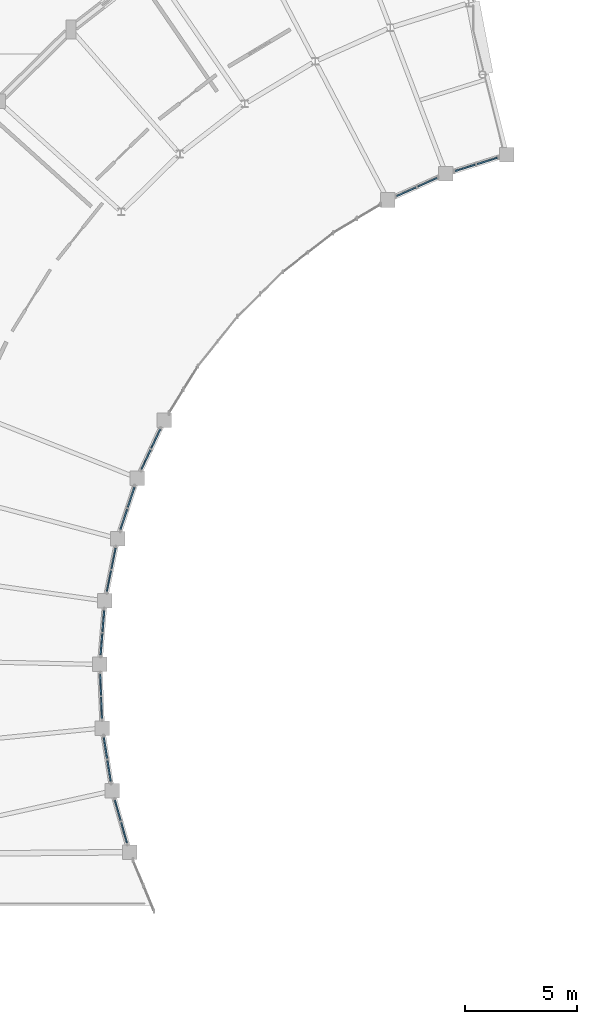
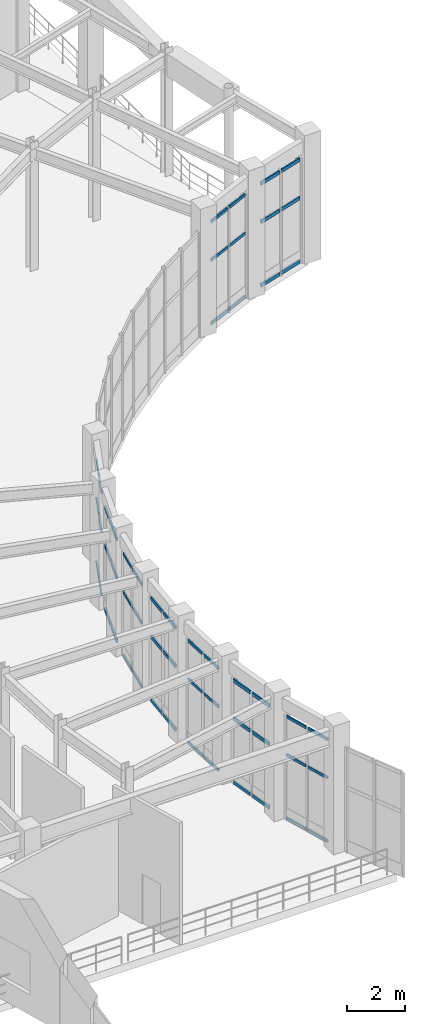
# One storey, part 39 of 93: 54 members, 9 elements without a shape of their own.
"""IFC4 building model written with IfcOpenShell, lengths in metres."""

import ifcopenshell
import ifcopenshell.guid

model = None  # the IFC model being written
_history = None  # IfcOwnerHistory: only IFC2X3 demands one
_inside = {}  # id of a spatial element -> (the spatial element, [elements in it])
_under = {}  # id of a project, library or spatial element -> (it, [spatial elements below it])
_declared = {}  # id of a project -> (the project, [libraries it declares])
_typed = {}  # id of a type object -> (the type object, [elements of that type])
_made_of = {}  # id of a material, layer set ... -> (it, [elements and type objects made of it])


def new_model(schema):
    """Start an empty IFC model of exactly this schema.

    Asked for "IFC4X3", IfcOpenShell would pick the latest addendum, in which some entities
    have other attributes; the version numbers below select the first issue.
    IFC2X3 requires an IfcOwnerHistory on every rooted entity: one is made here for all.
    """
    global model, _history
    if schema == "IFC4X3":
        model = ifcopenshell.file(schema_version=(4, 3, 0, 0))
    else:
        model = ifcopenshell.file(schema=schema)
    _inside.clear()
    _under.clear()
    _declared.clear()
    _typed.clear()
    _made_of.clear()
    _history = None
    if model.schema == "IFC2X3":
        org = make("IfcOrganization", Name="unknown")
        user = make(
            "IfcPersonAndOrganization",
            ThePerson=make("IfcPerson", FamilyName="unknown"),
            TheOrganization=org,
        )
        app = make(
            "IfcApplication",
            ApplicationDeveloper=org,
            Version="unknown",
            ApplicationFullName="unknown",
            ApplicationIdentifier="unknown",
        )
        _history = make(
            "IfcOwnerHistory",
            OwningUser=user,
            OwningApplication=app,
            ChangeAction="ADDED",
            CreationDate=0,
        )
    return model


def make(cls, **values):
    """One entity of the class cls with the attributes given. An attribute that is None is left unset."""
    return model.create_entity(
        cls, **{name: value for name, value in values.items() if value is not None}
    )


def rooted(cls, **values):
    """An entity with a GlobalId (a new one), such as an element, a storey or a relation."""
    return make(cls, GlobalId=ifcopenshell.guid.new(), OwnerHistory=_history, **values)


def si_unit(unit_type, name, prefix=None):
    """IfcSIUnit, for example si_unit("LENGTHUNIT", "METRE", prefix="MILLI")."""
    return make("IfcSIUnit", UnitType=unit_type, Prefix=prefix, Name=name)


def assignment(units):
    """IfcUnitAssignment: the units of a project."""
    return None if units is None else make("IfcUnitAssignment", Units=units)


def point(xyz):
    """IfcCartesianPoint."""
    return None if xyz is None else make("IfcCartesianPoint", Coordinates=xyz)


def direction(xyz):
    """IfcDirection."""
    return None if xyz is None else make("IfcDirection", DirectionRatios=xyz)


def frame(location, z_axis=None, x_axis=None):
    """IfcAxis2Placement3D, a coordinate frame: its origin and axes. An axis left out is left unset."""
    return make(
        "IfcAxis2Placement3D",
        Location=point(location),
        Axis=direction(z_axis),
        RefDirection=direction(x_axis),
    )


def frame_2d(location, x_axis=None):
    """IfcAxis2Placement2D, a coordinate frame in the plane: its origin and x axis."""
    return make(
        "IfcAxis2Placement2D", Location=point(location), RefDirection=direction(x_axis)
    )


def origin():
    """The frame at (0, 0, 0) with its axes left unset."""
    return frame((0.0, 0.0, 0.0))


def origin_2d():
    """The frame at (0, 0) in the plane with its x axis left unset."""
    return frame_2d((0.0, 0.0))


def place(relative_to, where):
    """IfcLocalPlacement: puts the frame where relative to a parent placement (None: the world)."""
    return make(
        "IfcLocalPlacement", PlacementRelTo=relative_to, RelativePlacement=where
    )


def context(
    kind, dimensions, precision=None, world=None, true_north=None, identifier=None
):
    """IfcGeometricRepresentationContext, for example the 3D "Model" context."""
    return make(
        "IfcGeometricRepresentationContext",
        ContextIdentifier=identifier,
        ContextType=kind,
        CoordinateSpaceDimension=dimensions,
        Precision=precision,
        WorldCoordinateSystem=world,
        TrueNorth=true_north,
    )


def subcontext(parent, identifier, kind, view, scale=None):
    """IfcGeometricRepresentationSubContext, for example "Body" below "Model"."""
    return make(
        "IfcGeometricRepresentationSubContext",
        ContextIdentifier=identifier,
        ContextType=kind,
        ParentContext=parent,
        TargetScale=scale,
        TargetView=view,
    )


def project(units=None, contexts=None):
    """IfcProject with its units and contexts."""
    return rooted(
        "IfcProject",
        Name="project",
        RepresentationContexts=contexts,
        UnitsInContext=assignment(units),
    )


def spatial(cls, under=None, at=None, **own):
    """A site, building, storey or space (cls), placed at a placement, below another one or the project."""
    s = rooted(cls, ObjectPlacement=at, **own)
    if under is not None:
        _under.setdefault(under.id(), (under, []))[1].append(s)
    return s


def profile(cls, at=None, kind="AREA", **sizes):
    """A parametric profile (cls). Its sizes go by their IFC names, for example OverallWidth=200.0."""
    return make(cls, ProfileType=kind, Position=at, **sizes)


def rectangle(**sizes):
    """IfcRectangleProfileDef."""
    return profile("IfcRectangleProfileDef", **sizes)


def extrude(swept, where, along, depth):
    """IfcExtrudedAreaSolid: the profile swept, set in the frame where, extruded along a direction by depth."""
    return make(
        "IfcExtrudedAreaSolid",
        SweptArea=swept,
        Position=where,
        ExtrudedDirection=direction(along),
        Depth=depth,
    )


def shape(context_of_items, identifier, shape_type, items):
    """IfcShapeRepresentation: the items that make up one representation, for example the "Body"."""
    return make(
        "IfcShapeRepresentation",
        ContextOfItems=context_of_items,
        RepresentationIdentifier=identifier,
        RepresentationType=shape_type,
        Items=items,
    )


def material(Name=None, Category=None):
    """IfcMaterial."""
    return make("IfcMaterial", Name=Name, Category=Category)


def material_profile(
    of_material, cross_section, Name=None, Category=None, Priority=None
):
    """IfcMaterialProfile: a cross section and its material."""
    return make(
        "IfcMaterialProfile",
        Name=Name,
        Material=of_material,
        Profile=cross_section,
        Priority=Priority,
        Category=Category,
    )


def profile_set(profiles, Name=None, composite=None):
    """IfcMaterialProfileSet."""
    return make(
        "IfcMaterialProfileSet",
        Name=Name,
        MaterialProfiles=profiles,
        CompositeProfile=composite,
    )


def made_of(thing, what):
    """Note that an element or type object is made of a material, layer set ...; save() writes the relation."""
    if what is not None:
        _made_of.setdefault(what.id(), (what, []))[1].append(thing)
    return thing


def type_object(cls, material=None, **own):
    """A type object (cls), such as IfcWallType, which elements share."""
    return made_of(rooted(cls, **own), material)


def element(
    cls,
    number,
    at=None,
    inside=None,
    cuts=None,
    type_object=None,
    material=None,
    context=None,
    identifier="Body",
    shape_type=None,
    held_by="IfcProductDefinitionShape",
    body=None,
    shapes=None,
    **own,
):
    """One element of the class cls, such as IfcWall. Its Tag is "e" and its number.

    at: its placement. inside: the storey or other place that contains it. cuts: it is an
    opening in that element (IfcRelVoidsElement). A single representation is given by context,
    identifier, shape_type and body (its items); several are given by shapes. held_by: the class
    of the entity that holds the representations. save() writes the other relations.
    """
    e = rooted(cls, Tag="e%d" % number, ObjectPlacement=at, **own)
    if body is not None:
        shapes = [shape(context, identifier, shape_type, body)]
    if shapes is not None:
        e.Representation = make(held_by, Representations=shapes)
    if inside is not None:
        _inside.setdefault(inside.id(), (inside, []))[1].append(e)
    if cuts is not None:
        rooted(
            "IfcRelVoidsElement", RelatingBuildingElement=cuts, RelatedOpeningElement=e
        )
    if type_object is not None:
        _typed.setdefault(type_object.id(), (type_object, []))[1].append(e)
    return made_of(e, material)


def aggregate(whole, parts):
    """IfcRelAggregates: a whole, such as a stair, and the parts it consists of."""
    return rooted("IfcRelAggregates", RelatingObject=whole, RelatedObjects=parts)


def save(model, path):
    """Write the relations noted so far, then the file.

    IfcRelAggregates (storeys below a building ...), IfcRelContainedInSpatialStructure (elements
    in a storey), IfcRelDefinesByType, IfcRelAssociatesMaterial and IfcRelDeclares: one each for
    every whole, place, type object, material and project.
    """
    for whole, parts in _under.values():
        aggregate(whole, parts)
    for where, things in _inside.values():
        rooted(
            "IfcRelContainedInSpatialStructure",
            RelatedElements=things,
            RelatingStructure=where,
        )
    for kind, things in _typed.values():
        rooted("IfcRelDefinesByType", RelatedObjects=things, RelatingType=kind)
    for what, things in _made_of.values():
        rooted("IfcRelAssociatesMaterial", RelatedObjects=things, RelatingMaterial=what)
    for by, libraries in _declared.values():
        rooted("IfcRelDeclares", RelatingContext=by, RelatedDefinitions=libraries)
    model.write(path)


model = new_model("IFC4")

# Units and contexts
model_context = context("Model", 3, precision=1e-05, world=origin(), true_north=direction((0.0, 1.0)))
body_context = subcontext(model_context, "Body", "Model", "MODEL_VIEW")
ifc_project = project(units=[si_unit("LENGTHUNIT", "METRE"), si_unit("AREAUNIT", "SQUARE_METRE"), si_unit("VOLUMEUNIT", "CUBIC_METRE"), si_unit("PLANEANGLEUNIT", "RADIAN"), si_unit("MASSUNIT", "GRAM", prefix="KILO")], contexts=[model_context])

# Site, building, storey
site_placement = place(None, origin())
site = spatial("IfcSite", under=ifc_project, at=site_placement, CompositionType="ELEMENT")
building_placement = place(site_placement, origin())
building = spatial("IfcBuilding", under=site, at=building_placement, Name="Cinderbank Siding Concert Hall", CompositionType="ELEMENT")
storey_placement = place(building_placement, origin())
storey = spatial("IfcBuildingStorey", under=building, at=storey_placement, Name="L01", CompositionType="ELEMENT", Elevation=0.0)

# Curtain wall, members
ifc_material = material(Name="Anodised aluminium alloy 6063-T6", Category="aluminium")
curtain_wall_type_1 = type_object("IfcCurtainWallType", Name="CW-14 Unitised Acoustic Curtain Wall 4200x3800", PredefinedType="NOTDEFINED", material=ifc_material)
curtain_wall_1_placement = place(storey_placement, origin())
curtain_wall_1 = element("IfcCurtainWall", 1, at=curtain_wall_1_placement, inside=storey, type_object=curtain_wall_type_1, Name="L01 Curtain Wall CW-14 #94", PredefinedType="NOTDEFINED")
ifc_material_profile_1 = material_profile(ifc_material, rectangle(XDim=0.06005859375, YDim=0.1201171875, at=origin_2d()), Name="ALU-TRAN-60x120", Category="LoadBearing")
ifc_profile_set_1 = profile_set([ifc_material_profile_1], Name="Anodised aluminium alloy 6063-T6")
member_type_1 = type_object("IfcMemberType", Name="CW-TR1 Transom 60x120", PredefinedType="USERDEFINED", material=ifc_profile_set_1)
member_1_placement = place(storey_placement, frame((47.074462890625, 90.2548828125, 0.06005859375), z_axis=(-0.9120491811, -0.410080835025, 0.0), x_axis=(0.410080835025, -0.9120491811, 0.0)))
member_1 = element("IfcMember", 2, at=member_1_placement, type_object=member_type_1, Name="CW-L01-094 Transom 0-0", ObjectType="TRANSOM", PredefinedType="USERDEFINED", context=body_context, shape_type="SweptSolid", body=[
    extrude(rectangle(XDim=0.06005859375, YDim=0.1201171875, at=origin_2d()), origin(), (0.0, 0.0, 1.0), 0.929931640625),
])
member_2_placement = place(storey_placement, frame((47.074462890625, 90.2548828125, 2.72802734375), z_axis=(-0.9120491811, -0.410080835025, 0.0), x_axis=(0.410080835025, -0.9120491811, 0.0)))
member_2 = element("IfcMember", 3, at=member_2_placement, type_object=member_type_1, Name="CW-L01-094 Transom 0-1", ObjectType="TRANSOM", PredefinedType="USERDEFINED", context=body_context, shape_type="SweptSolid", body=[
    extrude(rectangle(XDim=0.06005859375, YDim=0.1201171875, at=origin_2d()), origin(), (0.0, 0.0, 1.0), 0.929931640625),
])
member_3_placement = place(storey_placement, frame((47.074462890625, 90.2548828125, 4.340087890625), z_axis=(-0.9120491811, -0.410080835025, 0.0), x_axis=(0.410080835025, -0.9120491811, 0.0)))
member_3 = element("IfcMember", 4, at=member_3_placement, type_object=member_type_1, Name="CW-L01-094 Transom 0-2", ObjectType="TRANSOM", PredefinedType="USERDEFINED", context=body_context, shape_type="SweptSolid", body=[
    extrude(rectangle(XDim=0.06005859375, YDim=0.1201171875, at=origin_2d()), origin(), (0.0, 0.0, 1.0), 0.929931640625),
])
member_4_placement = place(storey_placement, frame((46.132080078125, 89.831298828125, 0.06005859375), z_axis=(-0.91209331491, -0.409982664141, 0.0), x_axis=(0.409982664141, -0.91209331491, 0.0)))
member_4 = element("IfcMember", 5, at=member_4_placement, type_object=member_type_1, Name="CW-L01-094 Transom 1-0", ObjectType="TRANSOM", PredefinedType="USERDEFINED", context=body_context, shape_type="SweptSolid", body=[
    extrude(rectangle(XDim=0.06005859375, YDim=0.1201171875, at=origin_2d()), origin(), (0.0, 0.0, 1.0), 0.93017578125),
])
member_5_placement = place(storey_placement, frame((46.132080078125, 89.831298828125, 2.72802734375), z_axis=(-0.91209331491, -0.409982664141, 0.0), x_axis=(0.409982664141, -0.91209331491, 0.0)))
member_5 = element("IfcMember", 6, at=member_5_placement, type_object=member_type_1, Name="CW-L01-094 Transom 1-1", ObjectType="TRANSOM", PredefinedType="USERDEFINED", context=body_context, shape_type="SweptSolid", body=[
    extrude(rectangle(XDim=0.06005859375, YDim=0.1201171875, at=origin_2d()), origin(), (0.0, 0.0, 1.0), 0.93017578125),
])
member_6_placement = place(storey_placement, frame((46.132080078125, 89.831298828125, 4.340087890625), z_axis=(-0.91209331491, -0.409982664141, 0.0), x_axis=(0.409982664141, -0.91209331491, 0.0)))
member_6 = element("IfcMember", 7, at=member_6_placement, type_object=member_type_1, Name="CW-L01-094 Transom 1-2", ObjectType="TRANSOM", PredefinedType="USERDEFINED", context=body_context, shape_type="SweptSolid", body=[
    extrude(rectangle(XDim=0.06005859375, YDim=0.1201171875, at=origin_2d()), origin(), (0.0, 0.0, 1.0), 0.93017578125),
])
aggregate(curtain_wall_1, [member_1, member_2, member_3, member_4, member_5, member_6])

curtain_wall_2_placement = place(storey_placement, origin())
curtain_wall_2 = element("IfcCurtainWall", 8, at=curtain_wall_2_placement, inside=storey, type_object=curtain_wall_type_1, Name="L01 Curtain Wall CW-14 #100", PredefinedType="NOTDEFINED")
member_7_placement = place(storey_placement, frame((34.701904296875, 79.0146484375, 0.06005859375), z_axis=(-0.422899836135, -0.906176433481, 0.0), x_axis=(0.906176433481, -0.422899836135, 0.0)))
member_7 = element("IfcMember", 9, at=member_7_placement, type_object=member_type_1, Name="CW-L01-100 Transom 0-0", ObjectType="TRANSOM", PredefinedType="USERDEFINED", context=body_context, shape_type="SweptSolid", body=[
    extrude(rectangle(XDim=0.06005859375, YDim=0.1201171875, at=origin_2d()), origin(), (0.0, 0.0, 1.0), 0.929931640625),
])
member_8_placement = place(storey_placement, frame((34.701904296875, 79.0146484375, 2.72802734375), z_axis=(-0.422899836135, -0.906176433481, 0.0), x_axis=(0.906176433481, -0.422899836135, 0.0)))
member_8 = element("IfcMember", 10, at=member_8_placement, type_object=member_type_1, Name="CW-L01-100 Transom 0-1", ObjectType="TRANSOM", PredefinedType="USERDEFINED", context=body_context, shape_type="SweptSolid", body=[
    extrude(rectangle(XDim=0.06005859375, YDim=0.1201171875, at=origin_2d()), origin(), (0.0, 0.0, 1.0), 0.929931640625),
])
member_9_placement = place(storey_placement, frame((34.701904296875, 79.0146484375, 4.340087890625), z_axis=(-0.422899836135, -0.906176433481, 0.0), x_axis=(0.906176433481, -0.422899836135, 0.0)))
member_9 = element("IfcMember", 11, at=member_9_placement, type_object=member_type_1, Name="CW-L01-100 Transom 0-2", ObjectType="TRANSOM", PredefinedType="USERDEFINED", context=body_context, shape_type="SweptSolid", body=[
    extrude(rectangle(XDim=0.06005859375, YDim=0.1201171875, at=origin_2d()), origin(), (0.0, 0.0, 1.0), 0.929931640625),
])
member_10_placement = place(storey_placement, frame((34.26513671875, 78.078125, 0.06005859375), z_axis=(-0.422684240574, -0.906277017678, 0.0), x_axis=(0.906277017678, -0.422684240574, 0.0)))
member_10 = element("IfcMember", 12, at=member_10_placement, type_object=member_type_1, Name="CW-L01-100 Transom 1-0", ObjectType="TRANSOM", PredefinedType="USERDEFINED", context=body_context, shape_type="SweptSolid", body=[
    extrude(rectangle(XDim=0.06005859375, YDim=0.1201171875, at=origin_2d()), origin(), (0.0, 0.0, 1.0), 0.929931640625),
])
member_11_placement = place(storey_placement, frame((34.26513671875, 78.078125, 2.72802734375), z_axis=(-0.422684240574, -0.906277017678, 0.0), x_axis=(0.906277017678, -0.422684240574, 0.0)))
member_11 = element("IfcMember", 13, at=member_11_placement, type_object=member_type_1, Name="CW-L01-100 Transom 1-1", ObjectType="TRANSOM", PredefinedType="USERDEFINED", context=body_context, shape_type="SweptSolid", body=[
    extrude(rectangle(XDim=0.06005859375, YDim=0.1201171875, at=origin_2d()), origin(), (0.0, 0.0, 1.0), 0.929931640625),
])
member_12_placement = place(storey_placement, frame((34.26513671875, 78.078125, 4.340087890625), z_axis=(-0.422684240574, -0.906277017678, 0.0), x_axis=(0.906277017678, -0.422684240574, 0.0)))
member_12 = element("IfcMember", 14, at=member_12_placement, type_object=member_type_1, Name="CW-L01-100 Transom 1-2", ObjectType="TRANSOM", PredefinedType="USERDEFINED", context=body_context, shape_type="SweptSolid", body=[
    extrude(rectangle(XDim=0.06005859375, YDim=0.1201171875, at=origin_2d()), origin(), (0.0, 0.0, 1.0), 0.929931640625),
])
aggregate(curtain_wall_2, [member_7, member_8, member_9, member_10, member_11, member_12])

curtain_wall_3_placement = place(storey_placement, origin())
curtain_wall_3 = element("IfcCurtainWall", 15, at=curtain_wall_3_placement, inside=storey, type_object=curtain_wall_type_1, Name="L01 Curtain Wall CW-14 #102", PredefinedType="NOTDEFINED")
member_13_placement = place(storey_placement, frame((32.708984375, 73.69775390625, 0.06005859375), z_axis=(-0.197680935147, -0.980266416786, 0.0), x_axis=(0.980266416786, -0.197680935147, 0.0)))
member_13 = element("IfcMember", 16, at=member_13_placement, type_object=member_type_1, Name="CW-L01-102 Transom 0-0", ObjectType="TRANSOM", PredefinedType="USERDEFINED", context=body_context, shape_type="SweptSolid", body=[
    extrude(rectangle(XDim=0.06005859375, YDim=0.1201171875, at=origin_2d()), origin(), (0.0, 0.0, 1.0), 0.929931640625),
])
member_14_placement = place(storey_placement, frame((32.708984375, 73.69775390625, 2.72802734375), z_axis=(-0.197680935147, -0.980266416786, 0.0), x_axis=(0.980266416786, -0.197680935147, 0.0)))
member_14 = element("IfcMember", 17, at=member_14_placement, type_object=member_type_1, Name="CW-L01-102 Transom 0-1", ObjectType="TRANSOM", PredefinedType="USERDEFINED", context=body_context, shape_type="SweptSolid", body=[
    extrude(rectangle(XDim=0.06005859375, YDim=0.1201171875, at=origin_2d()), origin(), (0.0, 0.0, 1.0), 0.929931640625),
])
member_15_placement = place(storey_placement, frame((32.708984375, 73.69775390625, 4.340087890625), z_axis=(-0.197680935147, -0.980266416786, 0.0), x_axis=(0.980266416786, -0.197680935147, 0.0)))
member_15 = element("IfcMember", 18, at=member_15_placement, type_object=member_type_1, Name="CW-L01-102 Transom 0-2", ObjectType="TRANSOM", PredefinedType="USERDEFINED", context=body_context, shape_type="SweptSolid", body=[
    extrude(rectangle(XDim=0.06005859375, YDim=0.1201171875, at=origin_2d()), origin(), (0.0, 0.0, 1.0), 0.929931640625),
])
member_16_placement = place(storey_placement, frame((32.504638671875, 72.684814453125, 0.06005859375), z_axis=(-0.197680935147, -0.980266416786, 0.0), x_axis=(0.980266416786, -0.197680935147, 0.0)))
member_16 = element("IfcMember", 19, at=member_16_placement, type_object=member_type_1, Name="CW-L01-102 Transom 1-0", ObjectType="TRANSOM", PredefinedType="USERDEFINED", context=body_context, shape_type="SweptSolid", body=[
    extrude(rectangle(XDim=0.06005859375, YDim=0.1201171875, at=origin_2d()), origin(), (0.0, 0.0, 1.0), 0.929931640625),
])
member_17_placement = place(storey_placement, frame((32.504638671875, 72.684814453125, 2.72802734375), z_axis=(-0.197680935147, -0.980266416786, 0.0), x_axis=(0.980266416786, -0.197680935147, 0.0)))
member_17 = element("IfcMember", 20, at=member_17_placement, type_object=member_type_1, Name="CW-L01-102 Transom 1-1", ObjectType="TRANSOM", PredefinedType="USERDEFINED", context=body_context, shape_type="SweptSolid", body=[
    extrude(rectangle(XDim=0.06005859375, YDim=0.1201171875, at=origin_2d()), origin(), (0.0, 0.0, 1.0), 0.929931640625),
])
member_18_placement = place(storey_placement, frame((32.504638671875, 72.684814453125, 4.340087890625), z_axis=(-0.197680935147, -0.980266416786, 0.0), x_axis=(0.980266416786, -0.197680935147, 0.0)))
member_18 = element("IfcMember", 21, at=member_18_placement, type_object=member_type_1, Name="CW-L01-102 Transom 1-2", ObjectType="TRANSOM", PredefinedType="USERDEFINED", context=body_context, shape_type="SweptSolid", body=[
    extrude(rectangle(XDim=0.06005859375, YDim=0.1201171875, at=origin_2d()), origin(), (0.0, 0.0, 1.0), 0.929931640625),
])
aggregate(curtain_wall_3, [member_13, member_14, member_15, member_16, member_17, member_18])

curtain_wall_4_placement = place(storey_placement, origin())
curtain_wall_4 = element("IfcCurtainWall", 22, at=curtain_wall_4_placement, inside=storey, type_object=curtain_wall_type_1, Name="L01 Curtain Wall CW-14 #104", PredefinedType="NOTDEFINED")
member_19_placement = place(storey_placement, frame((32.022216796875, 68.061279296875, 0.06005859375), z_axis=(0.038322236213, -0.999265433312, 0.0), x_axis=(0.999265433312, 0.038322236213, 0.0)))
member_19 = element("IfcMember", 23, at=member_19_placement, type_object=member_type_1, Name="CW-L01-104 Transom 0-0", ObjectType="TRANSOM", PredefinedType="USERDEFINED", context=body_context, shape_type="SweptSolid", body=[
    extrude(rectangle(XDim=0.06005859375, YDim=0.1201171875, at=origin_2d()), origin(), (0.0, 0.0, 1.0), 0.93017578125),
])
member_20_placement = place(storey_placement, frame((32.022216796875, 68.061279296875, 2.72802734375), z_axis=(0.038322236213, -0.999265433312, 0.0), x_axis=(0.999265433312, 0.038322236213, 0.0)))
member_20 = element("IfcMember", 24, at=member_20_placement, type_object=member_type_1, Name="CW-L01-104 Transom 0-1", ObjectType="TRANSOM", PredefinedType="USERDEFINED", context=body_context, shape_type="SweptSolid", body=[
    extrude(rectangle(XDim=0.06005859375, YDim=0.1201171875, at=origin_2d()), origin(), (0.0, 0.0, 1.0), 0.93017578125),
])
member_21_placement = place(storey_placement, frame((32.022216796875, 68.061279296875, 4.340087890625), z_axis=(0.038322236213, -0.999265433312, 0.0), x_axis=(0.999265433312, 0.038322236213, 0.0)))
member_21 = element("IfcMember", 25, at=member_21_placement, type_object=member_type_1, Name="CW-L01-104 Transom 0-2", ObjectType="TRANSOM", PredefinedType="USERDEFINED", context=body_context, shape_type="SweptSolid", body=[
    extrude(rectangle(XDim=0.06005859375, YDim=0.1201171875, at=origin_2d()), origin(), (0.0, 0.0, 1.0), 0.93017578125),
])
member_22_placement = place(storey_placement, frame((32.06201171875, 67.02880859375, 0.06005859375), z_axis=(0.038322236213, -0.999265433312, 0.0), x_axis=(0.999265433312, 0.038322236213, 0.0)))
member_22 = element("IfcMember", 26, at=member_22_placement, type_object=member_type_1, Name="CW-L01-104 Transom 1-0", ObjectType="TRANSOM", PredefinedType="USERDEFINED", context=body_context, shape_type="SweptSolid", body=[
    extrude(rectangle(XDim=0.06005859375, YDim=0.1201171875, at=origin_2d()), origin(), (0.0, 0.0, 1.0), 0.93017578125),
])
member_23_placement = place(storey_placement, frame((32.06201171875, 67.02880859375, 2.72802734375), z_axis=(0.038322236213, -0.999265433312, 0.0), x_axis=(0.999265433312, 0.038322236213, 0.0)))
member_23 = element("IfcMember", 27, at=member_23_placement, type_object=member_type_1, Name="CW-L01-104 Transom 1-1", ObjectType="TRANSOM", PredefinedType="USERDEFINED", context=body_context, shape_type="SweptSolid", body=[
    extrude(rectangle(XDim=0.06005859375, YDim=0.1201171875, at=origin_2d()), origin(), (0.0, 0.0, 1.0), 0.93017578125),
])
member_24_placement = place(storey_placement, frame((32.06201171875, 67.02880859375, 4.340087890625), z_axis=(0.038322236213, -0.999265433312, 0.0), x_axis=(0.999265433312, 0.038322236213, 0.0)))
member_24 = element("IfcMember", 28, at=member_24_placement, type_object=member_type_1, Name="CW-L01-104 Transom 1-2", ObjectType="TRANSOM", PredefinedType="USERDEFINED", context=body_context, shape_type="SweptSolid", body=[
    extrude(rectangle(XDim=0.06005859375, YDim=0.1201171875, at=origin_2d()), origin(), (0.0, 0.0, 1.0), 0.93017578125),
])
aggregate(curtain_wall_4, [member_19, member_20, member_21, member_22, member_23, member_24])

curtain_wall_5_placement = place(storey_placement, origin())
curtain_wall_5 = element("IfcCurtainWall", 29, at=curtain_wall_5_placement, inside=storey, type_object=curtain_wall_type_1, Name="L01 Curtain Wall CW-14 #106", PredefinedType="NOTDEFINED")
member_25_placement = place(storey_placement, frame((32.68017578125, 62.42138671875, 0.06005859375), z_axis=(0.272258256973, -0.96222421582, 0.0), x_axis=(0.96222421582, 0.272258256973, 0.0)))
member_25 = element("IfcMember", 30, at=member_25_placement, type_object=member_type_1, Name="CW-L01-106 Transom 0-0", ObjectType="TRANSOM", PredefinedType="USERDEFINED", context=body_context, shape_type="SweptSolid", body=[
    extrude(rectangle(XDim=0.06005859375, YDim=0.1201171875, at=origin_2d()), origin(), (0.0, 0.0, 1.0), 0.929931640625),
])
member_26_placement = place(storey_placement, frame((32.68017578125, 62.42138671875, 2.72802734375), z_axis=(0.272258256973, -0.96222421582, 0.0), x_axis=(0.96222421582, 0.272258256973, 0.0)))
member_26 = element("IfcMember", 31, at=member_26_placement, type_object=member_type_1, Name="CW-L01-106 Transom 0-1", ObjectType="TRANSOM", PredefinedType="USERDEFINED", context=body_context, shape_type="SweptSolid", body=[
    extrude(rectangle(XDim=0.06005859375, YDim=0.1201171875, at=origin_2d()), origin(), (0.0, 0.0, 1.0), 0.929931640625),
])
member_27_placement = place(storey_placement, frame((32.68017578125, 62.42138671875, 4.340087890625), z_axis=(0.272258256973, -0.96222421582, 0.0), x_axis=(0.96222421582, 0.272258256973, 0.0)))
member_27 = element("IfcMember", 32, at=member_27_placement, type_object=member_type_1, Name="CW-L01-106 Transom 0-2", ObjectType="TRANSOM", PredefinedType="USERDEFINED", context=body_context, shape_type="SweptSolid", body=[
    extrude(rectangle(XDim=0.06005859375, YDim=0.1201171875, at=origin_2d()), origin(), (0.0, 0.0, 1.0), 0.929931640625),
])
member_28_placement = place(storey_placement, frame((32.96142578125, 61.427001953125, 0.06005859375), z_axis=(0.272258256973, -0.96222421582, 0.0), x_axis=(0.96222421582, 0.272258256973, 0.0)))
member_28 = element("IfcMember", 33, at=member_28_placement, type_object=member_type_1, Name="CW-L01-106 Transom 1-0", ObjectType="TRANSOM", PredefinedType="USERDEFINED", context=body_context, shape_type="SweptSolid", body=[
    extrude(rectangle(XDim=0.06005859375, YDim=0.1201171875, at=origin_2d()), origin(), (0.0, 0.0, 1.0), 0.929931640625),
])
member_29_placement = place(storey_placement, frame((32.96142578125, 61.427001953125, 2.72802734375), z_axis=(0.272258256973, -0.96222421582, 0.0), x_axis=(0.96222421582, 0.272258256973, 0.0)))
member_29 = element("IfcMember", 34, at=member_29_placement, type_object=member_type_1, Name="CW-L01-106 Transom 1-1", ObjectType="TRANSOM", PredefinedType="USERDEFINED", context=body_context, shape_type="SweptSolid", body=[
    extrude(rectangle(XDim=0.06005859375, YDim=0.1201171875, at=origin_2d()), origin(), (0.0, 0.0, 1.0), 0.929931640625),
])
member_30_placement = place(storey_placement, frame((32.96142578125, 61.427001953125, 4.340087890625), z_axis=(0.272258256973, -0.96222421582, 0.0), x_axis=(0.96222421582, 0.272258256973, 0.0)))
member_30 = element("IfcMember", 35, at=member_30_placement, type_object=member_type_1, Name="CW-L01-106 Transom 1-2", ObjectType="TRANSOM", PredefinedType="USERDEFINED", context=body_context, shape_type="SweptSolid", body=[
    extrude(rectangle(XDim=0.06005859375, YDim=0.1201171875, at=origin_2d()), origin(), (0.0, 0.0, 1.0), 0.929931640625),
])
aggregate(curtain_wall_5, [member_25, member_26, member_27, member_28, member_29, member_30])

curtain_wall_type_2 = type_object("IfcCurtainWallType", Name="CW-13 Unitised Acoustic Curtain Wall 4200x4400", PredefinedType="NOTDEFINED", material=ifc_material)
curtain_wall_6_placement = place(storey_placement, origin())
curtain_wall_6 = element("IfcCurtainWall", 36, at=curtain_wall_6_placement, inside=storey, type_object=curtain_wall_type_2, Name="L01 Curtain Wall CW-13 #93", PredefinedType="NOTDEFINED")
ifc_material_profile_2 = material_profile(ifc_material, rectangle(XDim=0.06494140625, YDim=0.14990234375, at=origin_2d()), Name="ALU-TRAN-65x150", Category="LoadBearing")
ifc_profile_set_2 = profile_set([ifc_material_profile_2], Name="Anodised aluminium alloy 6063-T6")
member_type_2 = type_object("IfcMemberType", Name="CW-TR2 Transom 65x150", PredefinedType="USERDEFINED", material=ifc_profile_set_2)
member_31_placement = place(storey_placement, frame((49.7724609375, 91.155029296875, 0.06005859375), z_axis=(-0.954250811721, -0.299007338253, 0.0), x_axis=(0.299007338253, -0.954250811721, 0.0)))
member_31 = element("IfcMember", 37, at=member_31_placement, type_object=member_type_2, Name="CW-L01-093 Transom 0-0", ObjectType="TRANSOM", PredefinedType="USERDEFINED", context=body_context, shape_type="SweptSolid", body=[
    extrude(rectangle(XDim=0.06494140625, YDim=0.14990234375, at=origin_2d()), origin(), (0.0, 0.0, 1.0), 0.929931640625),
])
member_32_placement = place(storey_placement, frame((49.7724609375, 91.155029296875, 2.72802734375), z_axis=(-0.954250811721, -0.299007338253, 0.0), x_axis=(0.299007338253, -0.954250811721, 0.0)))
member_32 = element("IfcMember", 38, at=member_32_placement, type_object=member_type_2, Name="CW-L01-093 Transom 0-1", ObjectType="TRANSOM", PredefinedType="USERDEFINED", context=body_context, shape_type="SweptSolid", body=[
    extrude(rectangle(XDim=0.06494140625, YDim=0.14990234375, at=origin_2d()), origin(), (0.0, 0.0, 1.0), 0.929931640625),
])
member_33_placement = place(storey_placement, frame((49.7724609375, 91.155029296875, 4.340087890625), z_axis=(-0.954250811721, -0.299007338253, 0.0), x_axis=(0.299007338253, -0.954250811721, 0.0)))
member_33 = element("IfcMember", 39, at=member_33_placement, type_object=member_type_2, Name="CW-L01-093 Transom 0-2", ObjectType="TRANSOM", PredefinedType="USERDEFINED", context=body_context, shape_type="SweptSolid", body=[
    extrude(rectangle(XDim=0.06494140625, YDim=0.14990234375, at=origin_2d()), origin(), (0.0, 0.0, 1.0), 0.929931640625),
])
member_34_placement = place(storey_placement, frame((48.786376953125, 90.845947265625, 0.06005859375), z_axis=(-0.954250811721, -0.299007338253, 0.0), x_axis=(0.299007338253, -0.954250811721, 0.0)))
member_34 = element("IfcMember", 40, at=member_34_placement, type_object=member_type_2, Name="CW-L01-093 Transom 1-0", ObjectType="TRANSOM", PredefinedType="USERDEFINED", context=body_context, shape_type="SweptSolid", body=[
    extrude(rectangle(XDim=0.06494140625, YDim=0.14990234375, at=origin_2d()), origin(), (0.0, 0.0, 1.0), 0.929931640625),
])
member_35_placement = place(storey_placement, frame((48.786376953125, 90.845947265625, 2.72802734375), z_axis=(-0.954250811721, -0.299007338253, 0.0), x_axis=(0.299007338253, -0.954250811721, 0.0)))
member_35 = element("IfcMember", 41, at=member_35_placement, type_object=member_type_2, Name="CW-L01-093 Transom 1-1", ObjectType="TRANSOM", PredefinedType="USERDEFINED", context=body_context, shape_type="SweptSolid", body=[
    extrude(rectangle(XDim=0.06494140625, YDim=0.14990234375, at=origin_2d()), origin(), (0.0, 0.0, 1.0), 0.929931640625),
])
member_36_placement = place(storey_placement, frame((48.786376953125, 90.845947265625, 4.340087890625), z_axis=(-0.954250811721, -0.299007338253, 0.0), x_axis=(0.299007338253, -0.954250811721, 0.0)))
member_36 = element("IfcMember", 42, at=member_36_placement, type_object=member_type_2, Name="CW-L01-093 Transom 1-2", ObjectType="TRANSOM", PredefinedType="USERDEFINED", context=body_context, shape_type="SweptSolid", body=[
    extrude(rectangle(XDim=0.06494140625, YDim=0.14990234375, at=origin_2d()), origin(), (0.0, 0.0, 1.0), 0.929931640625),
])
aggregate(curtain_wall_6, [member_31, member_32, member_33, member_34, member_35, member_36])

curtain_wall_7_placement = place(storey_placement, origin())
curtain_wall_7 = element("IfcCurtainWall", 43, at=curtain_wall_7_placement, inside=storey, type_object=curtain_wall_type_2, Name="L01 Curtain Wall CW-13 #101", PredefinedType="NOTDEFINED")
member_37_placement = place(storey_placement, frame((33.54736328125, 76.415283203125, 0.06005859375), z_axis=(-0.312444414699, -0.949936044017, 0.0), x_axis=(0.949936044017, -0.312444414699, 0.0)))
member_37 = element("IfcMember", 44, at=member_37_placement, type_object=member_type_2, Name="CW-L01-101 Transom 0-0", ObjectType="TRANSOM", PredefinedType="USERDEFINED", context=body_context, shape_type="SweptSolid", body=[
    extrude(rectangle(XDim=0.06494140625, YDim=0.14990234375, at=origin_2d()), origin(), (0.0, 0.0, 1.0), 0.929931640625),
])
member_38_placement = place(storey_placement, frame((33.54736328125, 76.415283203125, 2.72802734375), z_axis=(-0.312444414699, -0.949936044017, 0.0), x_axis=(0.949936044017, -0.312444414699, 0.0)))
member_38 = element("IfcMember", 45, at=member_38_placement, type_object=member_type_2, Name="CW-L01-101 Transom 0-1", ObjectType="TRANSOM", PredefinedType="USERDEFINED", context=body_context, shape_type="SweptSolid", body=[
    extrude(rectangle(XDim=0.06494140625, YDim=0.14990234375, at=origin_2d()), origin(), (0.0, 0.0, 1.0), 0.929931640625),
])
member_39_placement = place(storey_placement, frame((33.54736328125, 76.415283203125, 4.340087890625), z_axis=(-0.312444414699, -0.949936044017, 0.0), x_axis=(0.949936044017, -0.312444414699, 0.0)))
member_39 = element("IfcMember", 46, at=member_39_placement, type_object=member_type_2, Name="CW-L01-101 Transom 0-2", ObjectType="TRANSOM", PredefinedType="USERDEFINED", context=body_context, shape_type="SweptSolid", body=[
    extrude(rectangle(XDim=0.06494140625, YDim=0.14990234375, at=origin_2d()), origin(), (0.0, 0.0, 1.0), 0.929931640625),
])
member_40_placement = place(storey_placement, frame((33.224609375, 75.433837890625, 0.06005859375), z_axis=(-0.312366505186, -0.949961665773, 0.0), x_axis=(0.949961665773, -0.312366505186, 0.0)))
member_40 = element("IfcMember", 47, at=member_40_placement, type_object=member_type_2, Name="CW-L01-101 Transom 1-0", ObjectType="TRANSOM", PredefinedType="USERDEFINED", context=body_context, shape_type="SweptSolid", body=[
    extrude(rectangle(XDim=0.06494140625, YDim=0.14990234375, at=origin_2d()), origin(), (0.0, 0.0, 1.0), 0.93017578125),
])
member_41_placement = place(storey_placement, frame((33.224609375, 75.433837890625, 2.72802734375), z_axis=(-0.312366505186, -0.949961665773, 0.0), x_axis=(0.949961665773, -0.312366505186, 0.0)))
member_41 = element("IfcMember", 48, at=member_41_placement, type_object=member_type_2, Name="CW-L01-101 Transom 1-1", ObjectType="TRANSOM", PredefinedType="USERDEFINED", context=body_context, shape_type="SweptSolid", body=[
    extrude(rectangle(XDim=0.06494140625, YDim=0.14990234375, at=origin_2d()), origin(), (0.0, 0.0, 1.0), 0.93017578125),
])
member_42_placement = place(storey_placement, frame((33.224609375, 75.433837890625, 4.340087890625), z_axis=(-0.312366505186, -0.949961665773, 0.0), x_axis=(0.949961665773, -0.312366505186, 0.0)))
member_42 = element("IfcMember", 49, at=member_42_placement, type_object=member_type_2, Name="CW-L01-101 Transom 1-2", ObjectType="TRANSOM", PredefinedType="USERDEFINED", context=body_context, shape_type="SweptSolid", body=[
    extrude(rectangle(XDim=0.06494140625, YDim=0.14990234375, at=origin_2d()), origin(), (0.0, 0.0, 1.0), 0.93017578125),
])
aggregate(curtain_wall_7, [member_37, member_38, member_39, member_40, member_41, member_42])

curtain_wall_8_placement = place(storey_placement, origin())
curtain_wall_8 = element("IfcCurtainWall", 50, at=curtain_wall_8_placement, inside=storey, type_object=curtain_wall_type_2, Name="L01 Curtain Wall CW-13 #103", PredefinedType="NOTDEFINED")
member_43_placement = place(storey_placement, frame((32.1982421875, 70.89990234375, 0.06005859375), z_axis=(-0.080329502061, -0.996768363813, 0.0), x_axis=(0.996768363813, -0.080329502061, 0.0)))
member_43 = element("IfcMember", 51, at=member_43_placement, type_object=member_type_2, Name="CW-L01-103 Transom 0-0", ObjectType="TRANSOM", PredefinedType="USERDEFINED", context=body_context, shape_type="SweptSolid", body=[
    extrude(rectangle(XDim=0.06494140625, YDim=0.14990234375, at=origin_2d()), origin(), (0.0, 0.0, 1.0), 0.929931640625),
])
member_44_placement = place(storey_placement, frame((32.1982421875, 70.89990234375, 2.72802734375), z_axis=(-0.080329502061, -0.996768363813, 0.0), x_axis=(0.996768363813, -0.080329502061, 0.0)))
member_44 = element("IfcMember", 52, at=member_44_placement, type_object=member_type_2, Name="CW-L01-103 Transom 0-1", ObjectType="TRANSOM", PredefinedType="USERDEFINED", context=body_context, shape_type="SweptSolid", body=[
    extrude(rectangle(XDim=0.06494140625, YDim=0.14990234375, at=origin_2d()), origin(), (0.0, 0.0, 1.0), 0.929931640625),
])
member_45_placement = place(storey_placement, frame((32.1982421875, 70.89990234375, 4.340087890625), z_axis=(-0.080329502061, -0.996768363813, 0.0), x_axis=(0.996768363813, -0.080329502061, 0.0)))
member_45 = element("IfcMember", 53, at=member_45_placement, type_object=member_type_2, Name="CW-L01-103 Transom 0-2", ObjectType="TRANSOM", PredefinedType="USERDEFINED", context=body_context, shape_type="SweptSolid", body=[
    extrude(rectangle(XDim=0.06494140625, YDim=0.14990234375, at=origin_2d()), origin(), (0.0, 0.0, 1.0), 0.929931640625),
])
member_46_placement = place(storey_placement, frame((32.115234375, 69.869873046875, 0.06005859375), z_axis=(-0.08006867307, -0.996789349659, 0.0), x_axis=(0.996789349659, -0.08006867307, 0.0)))
member_46 = element("IfcMember", 54, at=member_46_placement, type_object=member_type_2, Name="CW-L01-103 Transom 1-0", ObjectType="TRANSOM", PredefinedType="USERDEFINED", context=body_context, shape_type="SweptSolid", body=[
    extrude(rectangle(XDim=0.06494140625, YDim=0.14990234375, at=origin_2d()), origin(), (0.0, 0.0, 1.0), 0.929931640625),
])
member_47_placement = place(storey_placement, frame((32.115234375, 69.869873046875, 2.72802734375), z_axis=(-0.08006867307, -0.996789349659, 0.0), x_axis=(0.996789349659, -0.08006867307, 0.0)))
member_47 = element("IfcMember", 55, at=member_47_placement, type_object=member_type_2, Name="CW-L01-103 Transom 1-1", ObjectType="TRANSOM", PredefinedType="USERDEFINED", context=body_context, shape_type="SweptSolid", body=[
    extrude(rectangle(XDim=0.06494140625, YDim=0.14990234375, at=origin_2d()), origin(), (0.0, 0.0, 1.0), 0.929931640625),
])
member_48_placement = place(storey_placement, frame((32.115234375, 69.869873046875, 4.340087890625), z_axis=(-0.08006867307, -0.996789349659, 0.0), x_axis=(0.996789349659, -0.08006867307, 0.0)))
member_48 = element("IfcMember", 56, at=member_48_placement, type_object=member_type_2, Name="CW-L01-103 Transom 1-2", ObjectType="TRANSOM", PredefinedType="USERDEFINED", context=body_context, shape_type="SweptSolid", body=[
    extrude(rectangle(XDim=0.06494140625, YDim=0.14990234375, at=origin_2d()), origin(), (0.0, 0.0, 1.0), 0.929931640625),
])
aggregate(curtain_wall_8, [member_43, member_44, member_45, member_46, member_47, member_48])

curtain_wall_9_placement = place(storey_placement, origin())
curtain_wall_9 = element("IfcCurtainWall", 57, at=curtain_wall_9_placement, inside=storey, type_object=curtain_wall_type_2, Name="L01 Curtain Wall CW-13 #105", PredefinedType="NOTDEFINED")
member_49_placement = place(storey_placement, frame((32.18359375, 65.2216796875, 0.06005859375), z_axis=(0.156474863631, -0.98768194124, 0.0), x_axis=(0.98768194124, 0.156474863631, 0.0)))
member_49 = element("IfcMember", 58, at=member_49_placement, type_object=member_type_2, Name="CW-L01-105 Transom 0-0", ObjectType="TRANSOM", PredefinedType="USERDEFINED", context=body_context, shape_type="SweptSolid", body=[
    extrude(rectangle(XDim=0.06494140625, YDim=0.14990234375, at=origin_2d()), origin(), (0.0, 0.0, 1.0), 0.929931640625),
])
member_50_placement = place(storey_placement, frame((32.18359375, 65.2216796875, 2.72802734375), z_axis=(0.156474863631, -0.98768194124, 0.0), x_axis=(0.98768194124, 0.156474863631, 0.0)))
member_50 = element("IfcMember", 59, at=member_50_placement, type_object=member_type_2, Name="CW-L01-105 Transom 0-1", ObjectType="TRANSOM", PredefinedType="USERDEFINED", context=body_context, shape_type="SweptSolid", body=[
    extrude(rectangle(XDim=0.06494140625, YDim=0.14990234375, at=origin_2d()), origin(), (0.0, 0.0, 1.0), 0.929931640625),
])
member_51_placement = place(storey_placement, frame((32.18359375, 65.2216796875, 4.340087890625), z_axis=(0.156474863631, -0.98768194124, 0.0), x_axis=(0.98768194124, 0.156474863631, 0.0)))
member_51 = element("IfcMember", 60, at=member_51_placement, type_object=member_type_2, Name="CW-L01-105 Transom 0-2", ObjectType="TRANSOM", PredefinedType="USERDEFINED", context=body_context, shape_type="SweptSolid", body=[
    extrude(rectangle(XDim=0.06494140625, YDim=0.14990234375, at=origin_2d()), origin(), (0.0, 0.0, 1.0), 0.929931640625),
])
member_52_placement = place(storey_placement, frame((32.34521484375, 64.201171875, 0.06005859375), z_axis=(0.156474863631, -0.98768194124, 0.0), x_axis=(0.98768194124, 0.156474863631, 0.0)))
member_52 = element("IfcMember", 61, at=member_52_placement, type_object=member_type_2, Name="CW-L01-105 Transom 1-0", ObjectType="TRANSOM", PredefinedType="USERDEFINED", context=body_context, shape_type="SweptSolid", body=[
    extrude(rectangle(XDim=0.06494140625, YDim=0.14990234375, at=origin_2d()), origin(), (0.0, 0.0, 1.0), 0.929931640625),
])
member_53_placement = place(storey_placement, frame((32.34521484375, 64.201171875, 2.72802734375), z_axis=(0.156474863631, -0.98768194124, 0.0), x_axis=(0.98768194124, 0.156474863631, 0.0)))
member_53 = element("IfcMember", 62, at=member_53_placement, type_object=member_type_2, Name="CW-L01-105 Transom 1-1", ObjectType="TRANSOM", PredefinedType="USERDEFINED", context=body_context, shape_type="SweptSolid", body=[
    extrude(rectangle(XDim=0.06494140625, YDim=0.14990234375, at=origin_2d()), origin(), (0.0, 0.0, 1.0), 0.929931640625),
])
member_54_placement = place(storey_placement, frame((32.34521484375, 64.201171875, 4.340087890625), z_axis=(0.156474863631, -0.98768194124, 0.0), x_axis=(0.98768194124, 0.156474863631, 0.0)))
member_54 = element("IfcMember", 63, at=member_54_placement, type_object=member_type_2, Name="CW-L01-105 Transom 1-2", ObjectType="TRANSOM", PredefinedType="USERDEFINED", context=body_context, shape_type="SweptSolid", body=[
    extrude(rectangle(XDim=0.06494140625, YDim=0.14990234375, at=origin_2d()), origin(), (0.0, 0.0, 1.0), 0.929931640625),
])
aggregate(curtain_wall_9, [member_49, member_50, member_51, member_52, member_53, member_54])

save(model, "model.ifc")
